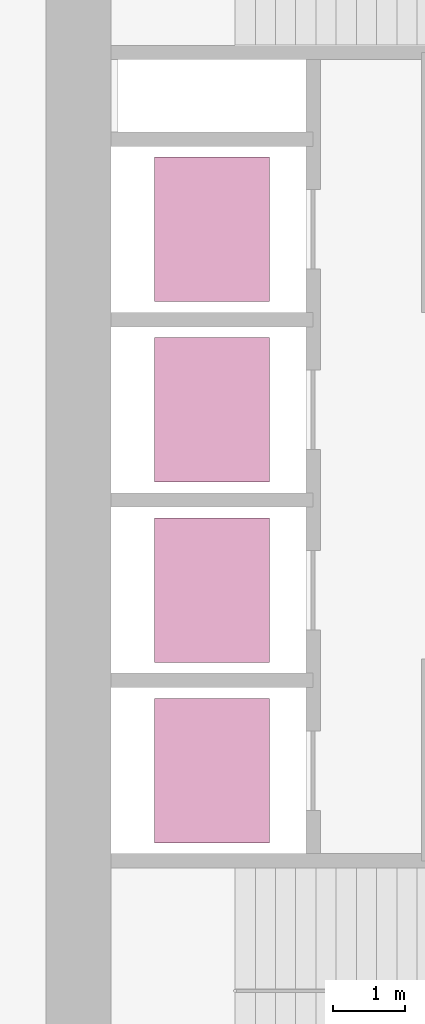
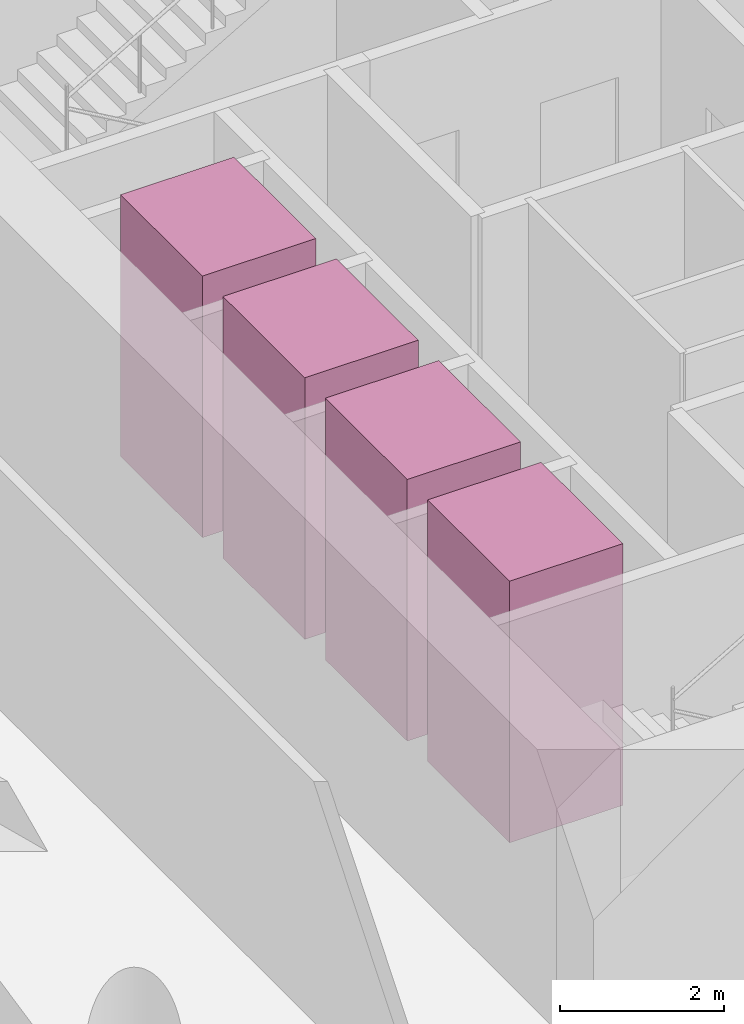
# One storey, part 10 of 10: 4 transport elements.
"""IFC4 building model written with IfcOpenShell, lengths in metres."""

import ifcopenshell
import ifcopenshell.guid

model = None  # the IFC model being written
_history = None  # IfcOwnerHistory: only IFC2X3 demands one
_inside = {}  # id of a spatial element -> (the spatial element, [elements in it])
_under = {}  # id of a project, library or spatial element -> (it, [spatial elements below it])
_declared = {}  # id of a project -> (the project, [libraries it declares])
_typed = {}  # id of a type object -> (the type object, [elements of that type])
_made_of = {}  # id of a material, layer set ... -> (it, [elements and type objects made of it])


def new_model(schema):
    """Start an empty IFC model of exactly this schema.

    Asked for "IFC4X3", IfcOpenShell would pick the latest addendum, in which some entities
    have other attributes; the version numbers below select the first issue.
    IFC2X3 requires an IfcOwnerHistory on every rooted entity: one is made here for all.
    """
    global model, _history
    if schema == "IFC4X3":
        model = ifcopenshell.file(schema_version=(4, 3, 0, 0))
    else:
        model = ifcopenshell.file(schema=schema)
    _inside.clear()
    _under.clear()
    _declared.clear()
    _typed.clear()
    _made_of.clear()
    _history = None
    if model.schema == "IFC2X3":
        org = make("IfcOrganization", Name="unknown")
        user = make(
            "IfcPersonAndOrganization",
            ThePerson=make("IfcPerson", FamilyName="unknown"),
            TheOrganization=org,
        )
        app = make(
            "IfcApplication",
            ApplicationDeveloper=org,
            Version="unknown",
            ApplicationFullName="unknown",
            ApplicationIdentifier="unknown",
        )
        _history = make(
            "IfcOwnerHistory",
            OwningUser=user,
            OwningApplication=app,
            ChangeAction="ADDED",
            CreationDate=0,
        )
    return model


def make(cls, **values):
    """One entity of the class cls with the attributes given. An attribute that is None is left unset."""
    return model.create_entity(
        cls, **{name: value for name, value in values.items() if value is not None}
    )


def rooted(cls, **values):
    """An entity with a GlobalId (a new one), such as an element, a storey or a relation."""
    return make(cls, GlobalId=ifcopenshell.guid.new(), OwnerHistory=_history, **values)


def si_unit(unit_type, name, prefix=None):
    """IfcSIUnit, for example si_unit("LENGTHUNIT", "METRE", prefix="MILLI")."""
    return make("IfcSIUnit", UnitType=unit_type, Prefix=prefix, Name=name)


def assignment(units):
    """IfcUnitAssignment: the units of a project."""
    return None if units is None else make("IfcUnitAssignment", Units=units)


def point(xyz):
    """IfcCartesianPoint."""
    return None if xyz is None else make("IfcCartesianPoint", Coordinates=xyz)


def direction(xyz):
    """IfcDirection."""
    return None if xyz is None else make("IfcDirection", DirectionRatios=xyz)


def frame(location, z_axis=None, x_axis=None):
    """IfcAxis2Placement3D, a coordinate frame: its origin and axes. An axis left out is left unset."""
    return make(
        "IfcAxis2Placement3D",
        Location=point(location),
        Axis=direction(z_axis),
        RefDirection=direction(x_axis),
    )


def frame_2d(location, x_axis=None):
    """IfcAxis2Placement2D, a coordinate frame in the plane: its origin and x axis."""
    return make(
        "IfcAxis2Placement2D", Location=point(location), RefDirection=direction(x_axis)
    )


def origin():
    """The frame at (0, 0, 0) with its axes left unset."""
    return frame((0.0, 0.0, 0.0))


def origin_2d():
    """The frame at (0, 0) in the plane with its x axis left unset."""
    return frame_2d((0.0, 0.0))


def place(relative_to, where):
    """IfcLocalPlacement: puts the frame where relative to a parent placement (None: the world)."""
    return make(
        "IfcLocalPlacement", PlacementRelTo=relative_to, RelativePlacement=where
    )


def context(
    kind, dimensions, precision=None, world=None, true_north=None, identifier=None
):
    """IfcGeometricRepresentationContext, for example the 3D "Model" context."""
    return make(
        "IfcGeometricRepresentationContext",
        ContextIdentifier=identifier,
        ContextType=kind,
        CoordinateSpaceDimension=dimensions,
        Precision=precision,
        WorldCoordinateSystem=world,
        TrueNorth=true_north,
    )


def subcontext(parent, identifier, kind, view, scale=None):
    """IfcGeometricRepresentationSubContext, for example "Body" below "Model"."""
    return make(
        "IfcGeometricRepresentationSubContext",
        ContextIdentifier=identifier,
        ContextType=kind,
        ParentContext=parent,
        TargetScale=scale,
        TargetView=view,
    )


def project(units=None, contexts=None):
    """IfcProject with its units and contexts."""
    return rooted(
        "IfcProject",
        Name="project",
        RepresentationContexts=contexts,
        UnitsInContext=assignment(units),
    )


def spatial(cls, under=None, at=None, **own):
    """A site, building, storey or space (cls), placed at a placement, below another one or the project."""
    s = rooted(cls, ObjectPlacement=at, **own)
    if under is not None:
        _under.setdefault(under.id(), (under, []))[1].append(s)
    return s


def profile(cls, at=None, kind="AREA", **sizes):
    """A parametric profile (cls). Its sizes go by their IFC names, for example OverallWidth=200.0."""
    return make(cls, ProfileType=kind, Position=at, **sizes)


def rectangle(**sizes):
    """IfcRectangleProfileDef."""
    return profile("IfcRectangleProfileDef", **sizes)


def extrude(swept, where, along, depth):
    """IfcExtrudedAreaSolid: the profile swept, set in the frame where, extruded along a direction by depth."""
    return make(
        "IfcExtrudedAreaSolid",
        SweptArea=swept,
        Position=where,
        ExtrudedDirection=direction(along),
        Depth=depth,
    )


def shape(context_of_items, identifier, shape_type, items):
    """IfcShapeRepresentation: the items that make up one representation, for example the "Body"."""
    return make(
        "IfcShapeRepresentation",
        ContextOfItems=context_of_items,
        RepresentationIdentifier=identifier,
        RepresentationType=shape_type,
        Items=items,
    )


def material(Name=None, Category=None):
    """IfcMaterial."""
    return make("IfcMaterial", Name=Name, Category=Category)


def made_of(thing, what):
    """Note that an element or type object is made of a material, layer set ...; save() writes the relation."""
    if what is not None:
        _made_of.setdefault(what.id(), (what, []))[1].append(thing)
    return thing


def type_object(cls, material=None, **own):
    """A type object (cls), such as IfcWallType, which elements share."""
    return made_of(rooted(cls, **own), material)


def element(
    cls,
    number,
    at=None,
    inside=None,
    cuts=None,
    type_object=None,
    material=None,
    context=None,
    identifier="Body",
    shape_type=None,
    held_by="IfcProductDefinitionShape",
    body=None,
    shapes=None,
    **own,
):
    """One element of the class cls, such as IfcWall. Its Tag is "e" and its number.

    at: its placement. inside: the storey or other place that contains it. cuts: it is an
    opening in that element (IfcRelVoidsElement). A single representation is given by context,
    identifier, shape_type and body (its items); several are given by shapes. held_by: the class
    of the entity that holds the representations. save() writes the other relations.
    """
    e = rooted(cls, Tag="e%d" % number, ObjectPlacement=at, **own)
    if body is not None:
        shapes = [shape(context, identifier, shape_type, body)]
    if shapes is not None:
        e.Representation = make(held_by, Representations=shapes)
    if inside is not None:
        _inside.setdefault(inside.id(), (inside, []))[1].append(e)
    if cuts is not None:
        rooted(
            "IfcRelVoidsElement", RelatingBuildingElement=cuts, RelatedOpeningElement=e
        )
    if type_object is not None:
        _typed.setdefault(type_object.id(), (type_object, []))[1].append(e)
    return made_of(e, material)


def aggregate(whole, parts):
    """IfcRelAggregates: a whole, such as a stair, and the parts it consists of."""
    return rooted("IfcRelAggregates", RelatingObject=whole, RelatedObjects=parts)


def save(model, path):
    """Write the relations noted so far, then the file.

    IfcRelAggregates (storeys below a building ...), IfcRelContainedInSpatialStructure (elements
    in a storey), IfcRelDefinesByType, IfcRelAssociatesMaterial and IfcRelDeclares: one each for
    every whole, place, type object, material and project.
    """
    for whole, parts in _under.values():
        aggregate(whole, parts)
    for where, things in _inside.values():
        rooted(
            "IfcRelContainedInSpatialStructure",
            RelatedElements=things,
            RelatingStructure=where,
        )
    for kind, things in _typed.values():
        rooted("IfcRelDefinesByType", RelatedObjects=things, RelatingType=kind)
    for what, things in _made_of.values():
        rooted("IfcRelAssociatesMaterial", RelatedObjects=things, RelatingMaterial=what)
    for by, libraries in _declared.values():
        rooted("IfcRelDeclares", RelatingContext=by, RelatedDefinitions=libraries)
    model.write(path)


model = new_model("IFC4")

# Units and contexts
model_context = context("Model", 3, precision=1e-05, world=origin(), true_north=direction((0.0, 1.0)))
body_context = subcontext(model_context, "Body", "Model", "MODEL_VIEW")
ifc_project = project(units=[si_unit("LENGTHUNIT", "METRE"), si_unit("AREAUNIT", "SQUARE_METRE"), si_unit("VOLUMEUNIT", "CUBIC_METRE"), si_unit("PLANEANGLEUNIT", "RADIAN"), si_unit("MASSUNIT", "GRAM", prefix="KILO")], contexts=[model_context])

# Site, building, storey
site_placement = place(None, origin())
site = spatial("IfcSite", under=ifc_project, at=site_placement, CompositionType="ELEMENT")
building_placement = place(site_placement, origin())
building = spatial("IfcBuilding", under=site, at=building_placement, Name="Qaws Garden Tower", CompositionType="ELEMENT")
storey_placement = place(building_placement, frame((0.0, 0.0, 35.39990234375)))
storey = spatial("IfcBuildingStorey", under=building, at=storey_placement, Name="L08", CompositionType="ELEMENT", Elevation=35.39990234375)

# Transport elements
ifc_material = material(Name="Stainless steel 316", Category="steel")
transport_element_type = type_object("IfcTransportElementType", Name="Passenger lift car 2000x1600 1800 kg", PredefinedType="ELEVATOR", material=ifc_material)
for number, where, z_axis, x_axis, name in (
    (1, (10.300048828125, 13.64990234375, 0.000244140625), (0.0, 0.0, 1.0), (1.0, 0.0, 0.0), "LR1"),
    (2, (10.300048828125, 16.14990234375, 0.000244140625), (0.0, 0.0, 1.0), (1.0, 0.0, 0.0), "LR2"),
    (3, (10.300048828125, 18.64990234375, 0.000244140625), (0.0, 0.0, 1.0), (1.0, 0.0, 0.0), "LR3"),
    (4, (10.300048828125, 21.14990234375, 0.000244140625), (0.0, 0.0, 1.0), (1.0, 0.0, 0.0), "LR4"),
):
    element("IfcTransportElement", number, at=place(storey_placement, frame(where, z_axis=z_axis, x_axis=x_axis)), inside=storey, type_object=transport_element_type, Name=name, PredefinedType="ELEVATOR", context=body_context, shape_type="SweptSolid", body=[
        extrude(rectangle(XDim=1.60009765625, YDim=2.0, at=origin_2d()), origin(), (0.0, 0.0, 1.0), 3.89990234375),
    ])

save(model, "model.ifc")
